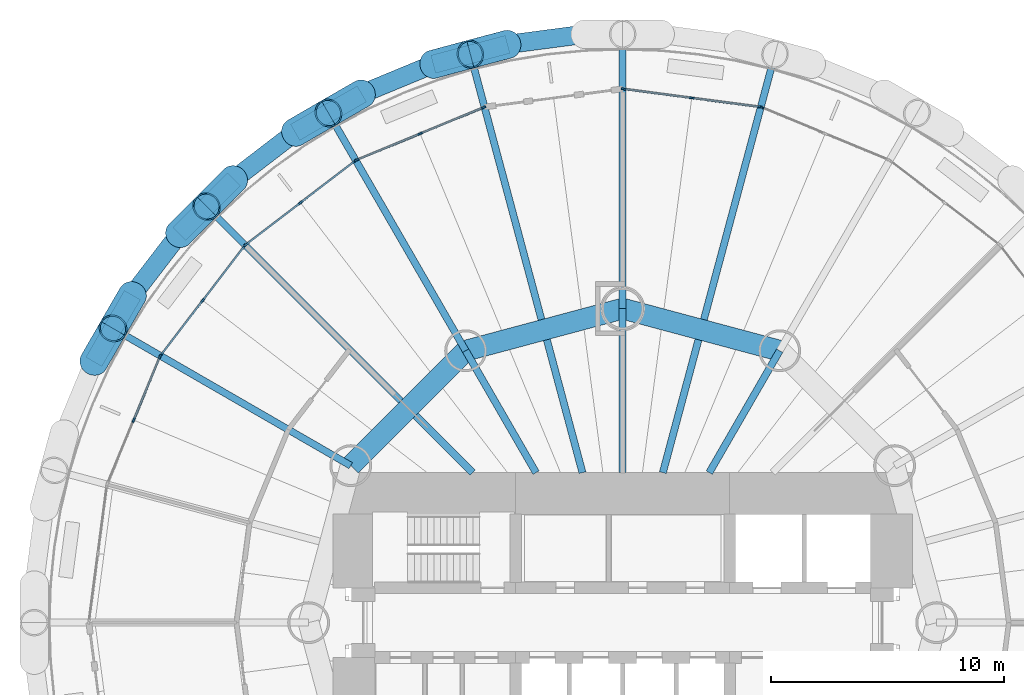
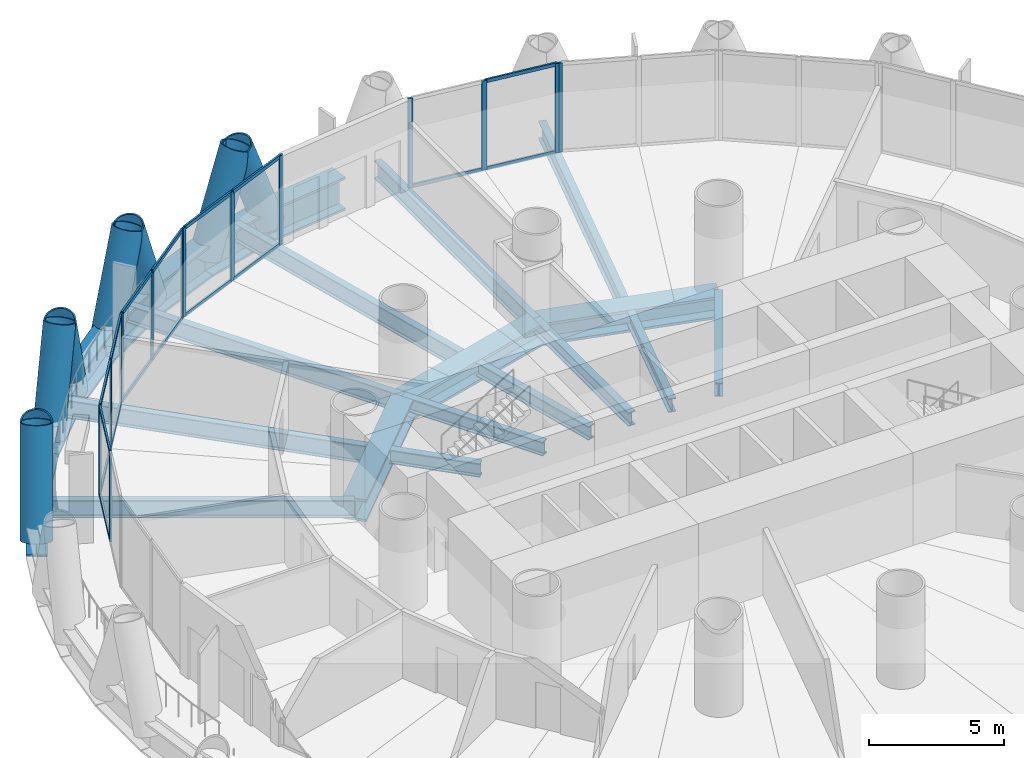
# One storey, part 6 of 16: 40 members, 23 beams, 6 elements without a shape of their own.
"""IFC4 building model written with IfcOpenShell, lengths in metres."""

import ifcopenshell
import ifcopenshell.guid

model = None  # the IFC model being written
_history = None  # IfcOwnerHistory: only IFC2X3 demands one
_inside = {}  # id of a spatial element -> (the spatial element, [elements in it])
_under = {}  # id of a project, library or spatial element -> (it, [spatial elements below it])
_declared = {}  # id of a project -> (the project, [libraries it declares])
_typed = {}  # id of a type object -> (the type object, [elements of that type])
_made_of = {}  # id of a material, layer set ... -> (it, [elements and type objects made of it])


def new_model(schema):
    """Start an empty IFC model of exactly this schema.

    Asked for "IFC4X3", IfcOpenShell would pick the latest addendum, in which some entities
    have other attributes; the version numbers below select the first issue.
    IFC2X3 requires an IfcOwnerHistory on every rooted entity: one is made here for all.
    """
    global model, _history
    if schema == "IFC4X3":
        model = ifcopenshell.file(schema_version=(4, 3, 0, 0))
    else:
        model = ifcopenshell.file(schema=schema)
    _inside.clear()
    _under.clear()
    _declared.clear()
    _typed.clear()
    _made_of.clear()
    _history = None
    if model.schema == "IFC2X3":
        org = make("IfcOrganization", Name="unknown")
        user = make(
            "IfcPersonAndOrganization",
            ThePerson=make("IfcPerson", FamilyName="unknown"),
            TheOrganization=org,
        )
        app = make(
            "IfcApplication",
            ApplicationDeveloper=org,
            Version="unknown",
            ApplicationFullName="unknown",
            ApplicationIdentifier="unknown",
        )
        _history = make(
            "IfcOwnerHistory",
            OwningUser=user,
            OwningApplication=app,
            ChangeAction="ADDED",
            CreationDate=0,
        )
    return model


def make(cls, **values):
    """One entity of the class cls with the attributes given. An attribute that is None is left unset."""
    return model.create_entity(
        cls, **{name: value for name, value in values.items() if value is not None}
    )


def rooted(cls, **values):
    """An entity with a GlobalId (a new one), such as an element, a storey or a relation."""
    return make(cls, GlobalId=ifcopenshell.guid.new(), OwnerHistory=_history, **values)


def si_unit(unit_type, name, prefix=None):
    """IfcSIUnit, for example si_unit("LENGTHUNIT", "METRE", prefix="MILLI")."""
    return make("IfcSIUnit", UnitType=unit_type, Prefix=prefix, Name=name)


def assignment(units):
    """IfcUnitAssignment: the units of a project."""
    return None if units is None else make("IfcUnitAssignment", Units=units)


def point(xyz):
    """IfcCartesianPoint."""
    return None if xyz is None else make("IfcCartesianPoint", Coordinates=xyz)


def direction(xyz):
    """IfcDirection."""
    return None if xyz is None else make("IfcDirection", DirectionRatios=xyz)


def frame(location, z_axis=None, x_axis=None):
    """IfcAxis2Placement3D, a coordinate frame: its origin and axes. An axis left out is left unset."""
    return make(
        "IfcAxis2Placement3D",
        Location=point(location),
        Axis=direction(z_axis),
        RefDirection=direction(x_axis),
    )


def frame_2d(location, x_axis=None):
    """IfcAxis2Placement2D, a coordinate frame in the plane: its origin and x axis."""
    return make(
        "IfcAxis2Placement2D", Location=point(location), RefDirection=direction(x_axis)
    )


def origin():
    """The frame at (0, 0, 0) with its axes left unset."""
    return frame((0.0, 0.0, 0.0))


def origin_2d():
    """The frame at (0, 0) in the plane with its x axis left unset."""
    return frame_2d((0.0, 0.0))


def place(relative_to, where):
    """IfcLocalPlacement: puts the frame where relative to a parent placement (None: the world)."""
    return make(
        "IfcLocalPlacement", PlacementRelTo=relative_to, RelativePlacement=where
    )


def context(
    kind, dimensions, precision=None, world=None, true_north=None, identifier=None
):
    """IfcGeometricRepresentationContext, for example the 3D "Model" context."""
    return make(
        "IfcGeometricRepresentationContext",
        ContextIdentifier=identifier,
        ContextType=kind,
        CoordinateSpaceDimension=dimensions,
        Precision=precision,
        WorldCoordinateSystem=world,
        TrueNorth=true_north,
    )


def subcontext(parent, identifier, kind, view, scale=None):
    """IfcGeometricRepresentationSubContext, for example "Body" below "Model"."""
    return make(
        "IfcGeometricRepresentationSubContext",
        ContextIdentifier=identifier,
        ContextType=kind,
        ParentContext=parent,
        TargetScale=scale,
        TargetView=view,
    )


def project(units=None, contexts=None):
    """IfcProject with its units and contexts."""
    return rooted(
        "IfcProject",
        Name="project",
        RepresentationContexts=contexts,
        UnitsInContext=assignment(units),
    )


def spatial(cls, under=None, at=None, **own):
    """A site, building, storey or space (cls), placed at a placement, below another one or the project."""
    s = rooted(cls, ObjectPlacement=at, **own)
    if under is not None:
        _under.setdefault(under.id(), (under, []))[1].append(s)
    return s


def profile(cls, at=None, kind="AREA", **sizes):
    """A parametric profile (cls). Its sizes go by their IFC names, for example OverallWidth=200.0."""
    return make(cls, ProfileType=kind, Position=at, **sizes)


def rectangle(**sizes):
    """IfcRectangleProfileDef."""
    return profile("IfcRectangleProfileDef", **sizes)


def hollow_circle(**sizes):
    """IfcCircleHollowProfileDef."""
    return profile("IfcCircleHollowProfileDef", **sizes)


def i_section(**sizes):
    """IfcIShapeProfileDef."""
    return profile("IfcIShapeProfileDef", **sizes)


def extrude(swept, where, along, depth):
    """IfcExtrudedAreaSolid: the profile swept, set in the frame where, extruded along a direction by depth."""
    return make(
        "IfcExtrudedAreaSolid",
        SweptArea=swept,
        Position=where,
        ExtrudedDirection=direction(along),
        Depth=depth,
    )


def shape(context_of_items, identifier, shape_type, items):
    """IfcShapeRepresentation: the items that make up one representation, for example the "Body"."""
    return make(
        "IfcShapeRepresentation",
        ContextOfItems=context_of_items,
        RepresentationIdentifier=identifier,
        RepresentationType=shape_type,
        Items=items,
    )


def material(Name=None, Category=None):
    """IfcMaterial."""
    return make("IfcMaterial", Name=Name, Category=Category)


def material_profile(
    of_material, cross_section, Name=None, Category=None, Priority=None
):
    """IfcMaterialProfile: a cross section and its material."""
    return make(
        "IfcMaterialProfile",
        Name=Name,
        Material=of_material,
        Profile=cross_section,
        Priority=Priority,
        Category=Category,
    )


def profile_set(profiles, Name=None, composite=None):
    """IfcMaterialProfileSet."""
    return make(
        "IfcMaterialProfileSet",
        Name=Name,
        MaterialProfiles=profiles,
        CompositeProfile=composite,
    )


def made_of(thing, what):
    """Note that an element or type object is made of a material, layer set ...; save() writes the relation."""
    if what is not None:
        _made_of.setdefault(what.id(), (what, []))[1].append(thing)
    return thing


def type_object(cls, material=None, **own):
    """A type object (cls), such as IfcWallType, which elements share."""
    return made_of(rooted(cls, **own), material)


def element(
    cls,
    number,
    at=None,
    inside=None,
    cuts=None,
    type_object=None,
    material=None,
    context=None,
    identifier="Body",
    shape_type=None,
    held_by="IfcProductDefinitionShape",
    body=None,
    shapes=None,
    **own,
):
    """One element of the class cls, such as IfcWall. Its Tag is "e" and its number.

    at: its placement. inside: the storey or other place that contains it. cuts: it is an
    opening in that element (IfcRelVoidsElement). A single representation is given by context,
    identifier, shape_type and body (its items); several are given by shapes. held_by: the class
    of the entity that holds the representations. save() writes the other relations.
    """
    e = rooted(cls, Tag="e%d" % number, ObjectPlacement=at, **own)
    if body is not None:
        shapes = [shape(context, identifier, shape_type, body)]
    if shapes is not None:
        e.Representation = make(held_by, Representations=shapes)
    if inside is not None:
        _inside.setdefault(inside.id(), (inside, []))[1].append(e)
    if cuts is not None:
        rooted(
            "IfcRelVoidsElement", RelatingBuildingElement=cuts, RelatedOpeningElement=e
        )
    if type_object is not None:
        _typed.setdefault(type_object.id(), (type_object, []))[1].append(e)
    return made_of(e, material)


def aggregate(whole, parts):
    """IfcRelAggregates: a whole, such as a stair, and the parts it consists of."""
    return rooted("IfcRelAggregates", RelatingObject=whole, RelatedObjects=parts)


def save(model, path):
    """Write the relations noted so far, then the file.

    IfcRelAggregates (storeys below a building ...), IfcRelContainedInSpatialStructure (elements
    in a storey), IfcRelDefinesByType, IfcRelAssociatesMaterial and IfcRelDeclares: one each for
    every whole, place, type object, material and project.
    """
    for whole, parts in _under.values():
        aggregate(whole, parts)
    for where, things in _inside.values():
        rooted(
            "IfcRelContainedInSpatialStructure",
            RelatedElements=things,
            RelatingStructure=where,
        )
    for kind, things in _typed.values():
        rooted("IfcRelDefinesByType", RelatedObjects=things, RelatingType=kind)
    for what, things in _made_of.values():
        rooted("IfcRelAssociatesMaterial", RelatedObjects=things, RelatingMaterial=what)
    for by, libraries in _declared.values():
        rooted("IfcRelDeclares", RelatingContext=by, RelatedDefinitions=libraries)
    model.write(path)


model = new_model("IFC4")

# Units and contexts
model_context = context("Model", 3, precision=1e-05, world=origin(), true_north=direction((0.0, 1.0)))
body_context = subcontext(model_context, "Body", "Model", "MODEL_VIEW")
ifc_project = project(units=[si_unit("LENGTHUNIT", "METRE"), si_unit("AREAUNIT", "SQUARE_METRE"), si_unit("VOLUMEUNIT", "CUBIC_METRE"), si_unit("PLANEANGLEUNIT", "RADIAN"), si_unit("MASSUNIT", "GRAM", prefix="KILO")], contexts=[model_context])

# Site, building, storey
site_placement = place(None, origin())
site = spatial("IfcSite", under=ifc_project, at=site_placement, CompositionType="ELEMENT")
building_placement = place(site_placement, origin())
building = spatial("IfcBuilding", under=site, at=building_placement, Name="Qaws Media Tower", CompositionType="ELEMENT")
storey_placement = place(building_placement, frame((0.0, 0.0, 105.800048828125)))
storey = spatial("IfcBuildingStorey", under=building, at=storey_placement, Name="L23", CompositionType="ELEMENT", Elevation=105.800048828125)

# Curtain wall, member
ifc_material_1 = material(Name="Aluminium and clear glass", Category="aluminium")
curtain_wall_type = type_object("IfcCurtainWallType", Name="Unitised curtain wall CW-B", PredefinedType="NOTDEFINED", material=ifc_material_1)
curtain_wall_1_placement = place(storey_placement, origin())
curtain_wall_1 = element("IfcCurtainWall", 1, at=curtain_wall_1_placement, inside=storey, type_object=curtain_wall_type, Name="CWB curtain wall L23-05", PredefinedType="NOTDEFINED")
ifc_material_2 = material(Name="Aluminium mullion", Category="aluminium")
ifc_material_profile_1 = material_profile(ifc_material_2, rectangle(XDim=0.080078125, YDim=0.199951171875, at=origin_2d()), Name="80x200")
ifc_profile_set_1 = profile_set([ifc_material_profile_1], Name="Aluminium mullion")
member_type_1 = type_object("IfcMemberType", Name="Curtain wall mullion 80x200", PredefinedType="MULLION", material=ifc_profile_set_1)
member_1_placement = place(storey_placement, frame((65.976806640625, 72.152587890625, 0.0), z_axis=(0.0, 0.0, 1.0), x_axis=(-0.382683470581, -0.923879516682, 0.0)))
member_1 = element("IfcMember", 2, at=member_1_placement, type_object=member_type_1, Name="CWB mullion 3", PredefinedType="MULLION", context=body_context, shape_type="SweptSolid", body=[
    extrude(rectangle(XDim=0.080078125, YDim=0.199951171875, at=origin_2d()), origin(), (0.0, 0.0, 1.0), 4.0400390625),
])
aggregate(curtain_wall_1, [member_1])

# Curtain wall, members
curtain_wall_2_placement = place(storey_placement, origin())
curtain_wall_2 = element("IfcCurtainWall", 3, at=curtain_wall_2_placement, inside=storey, type_object=curtain_wall_type, Name="CWB curtain wall L23-06", PredefinedType="NOTDEFINED")
member_2_placement = place(storey_placement, frame((65.900146484375, 72.17333984375, 0.0), z_axis=(0.0, 0.0, 1.0), x_axis=(-0.130526147022, -0.991444867324, 0.0)))
member_2 = element("IfcMember", 4, at=member_2_placement, type_object=member_type_1, Name="CWB mullion 1", PredefinedType="MULLION", context=body_context, shape_type="SweptSolid", body=[
    extrude(rectangle(XDim=0.080078125, YDim=0.199951171875, at=origin_2d()), origin(), (0.0, 0.0, 1.0), 4.0400390625),
])
member_3_placement = place(storey_placement, frame((62.969970703125, 72.55908203125, 0.0), z_axis=(0.0, 0.0, 1.0), x_axis=(-0.130526147022, -0.991444867324, 0.0)))
member_3 = element("IfcMember", 5, at=member_3_placement, type_object=member_type_1, Name="CWB mullion 2", PredefinedType="MULLION", context=body_context, shape_type="SweptSolid", body=[
    extrude(rectangle(XDim=0.080078125, YDim=0.199951171875, at=origin_2d()), origin(), (0.0, 0.0, 1.0), 4.0400390625),
])
member_4_placement = place(storey_placement, frame((60.03955078125, 72.94482421875, 0.0), z_axis=(0.0, 0.0, 1.0), x_axis=(-0.130526147022, -0.991444867324, 0.0)))
member_4 = element("IfcMember", 6, at=member_4_placement, type_object=member_type_1, Name="CWB mullion 3", PredefinedType="MULLION", context=body_context, shape_type="SweptSolid", body=[
    extrude(rectangle(XDim=0.080078125, YDim=0.199951171875, at=origin_2d()), origin(), (0.0, 0.0, 1.0), 4.0400390625),
])

curtain_wall_3_placement = place(storey_placement, origin())
curtain_wall_3 = element("IfcCurtainWall", 7, at=curtain_wall_3_placement, inside=storey, type_object=curtain_wall_type, Name="CWB curtain wall L23-08", PredefinedType="NOTDEFINED")
member_5_placement = place(storey_placement, frame((54.023193359375, 72.152587890625, 0.0), z_axis=(0.0, 0.0, 1.0), x_axis=(0.382683470581, -0.923879516682, 0.0)))
member_5 = element("IfcMember", 8, at=member_5_placement, type_object=member_type_1, Name="CWB mullion 1", PredefinedType="MULLION", context=body_context, shape_type="SweptSolid", body=[
    extrude(rectangle(XDim=0.080078125, YDim=0.199951171875, at=origin_2d()), origin(), (0.0, 0.0, 1.0), 4.0400390625),
])
member_6_placement = place(storey_placement, frame((51.29248046875, 71.021728515625, 0.0), z_axis=(0.0, 0.0, 1.0), x_axis=(0.382683470581, -0.923879516682, 0.0)))
member_6 = element("IfcMember", 9, at=member_6_placement, type_object=member_type_1, Name="CWB mullion 2", PredefinedType="MULLION", context=body_context, shape_type="SweptSolid", body=[
    extrude(rectangle(XDim=0.080078125, YDim=0.199951171875, at=origin_2d()), origin(), (0.0, 0.0, 1.0), 4.0400390625),
])
member_7_placement = place(storey_placement, frame((48.56201171875, 69.890625, 0.0), z_axis=(0.0, 0.0, 1.0), x_axis=(0.382683470581, -0.923879516682, 0.0)))
member_7 = element("IfcMember", 10, at=member_7_placement, type_object=member_type_1, Name="CWB mullion 3", PredefinedType="MULLION", context=body_context, shape_type="SweptSolid", body=[
    extrude(rectangle(XDim=0.080078125, YDim=0.199951171875, at=origin_2d()), origin(), (0.0, 0.0, 1.0), 4.0400390625),
])

curtain_wall_4_placement = place(storey_placement, origin())
curtain_wall_4 = element("IfcCurtainWall", 11, at=curtain_wall_4_placement, inside=storey, type_object=curtain_wall_type, Name="CWB curtain wall L23-09", PredefinedType="NOTDEFINED")
member_8_placement = place(storey_placement, frame((48.4931640625, 69.850830078125, 0.0), z_axis=(0.0, 0.0, 1.0), x_axis=(0.608761358211, -0.793353394616, 0.0)))
member_8 = element("IfcMember", 12, at=member_8_placement, type_object=member_type_1, Name="CWB mullion 1", PredefinedType="MULLION", context=body_context, shape_type="SweptSolid", body=[
    extrude(rectangle(XDim=0.080078125, YDim=0.199951171875, at=origin_2d()), origin(), (0.0, 0.0, 1.0), 4.0400390625),
])
member_9_placement = place(storey_placement, frame((46.1484375, 68.0517578125, 0.0), z_axis=(0.0, 0.0, 1.0), x_axis=(0.608761358211, -0.793353394616, 0.0)))
member_9 = element("IfcMember", 13, at=member_9_placement, type_object=member_type_1, Name="CWB mullion 2", PredefinedType="MULLION", context=body_context, shape_type="SweptSolid", body=[
    extrude(rectangle(XDim=0.080078125, YDim=0.199951171875, at=origin_2d()), origin(), (0.0, 0.0, 1.0), 4.0400390625),
])
member_10_placement = place(storey_placement, frame((43.8037109375, 66.25244140625, 0.0), z_axis=(0.0, 0.0, 1.0), x_axis=(0.608761358211, -0.793353394616, 0.0)))
member_10 = element("IfcMember", 14, at=member_10_placement, type_object=member_type_1, Name="CWB mullion 3", PredefinedType="MULLION", context=body_context, shape_type="SweptSolid", body=[
    extrude(rectangle(XDim=0.080078125, YDim=0.199951171875, at=origin_2d()), origin(), (0.0, 0.0, 1.0), 4.0400390625),
])

curtain_wall_5_placement = place(storey_placement, origin())
curtain_wall_5 = element("IfcCurtainWall", 15, at=curtain_wall_5_placement, inside=storey, type_object=curtain_wall_type, Name="CWB curtain wall L23-10", PredefinedType="NOTDEFINED")
member_11_placement = place(storey_placement, frame((43.74755859375, 66.1962890625, 0.0), z_axis=(0.0, 0.0, 1.0), x_axis=(0.793353394616, -0.608761358211, 0.0)))
member_11 = element("IfcMember", 16, at=member_11_placement, type_object=member_type_1, Name="CWB mullion 1", PredefinedType="MULLION", context=body_context, shape_type="SweptSolid", body=[
    extrude(rectangle(XDim=0.080078125, YDim=0.199951171875, at=origin_2d()), origin(), (0.0, 0.0, 1.0), 4.0400390625),
])
member_12_placement = place(storey_placement, frame((41.9482421875, 63.8515625, 0.0), z_axis=(0.0, 0.0, 1.0), x_axis=(0.793353394616, -0.608761358211, 0.0)))
member_12 = element("IfcMember", 17, at=member_12_placement, type_object=member_type_1, Name="CWB mullion 2", PredefinedType="MULLION", context=body_context, shape_type="SweptSolid", body=[
    extrude(rectangle(XDim=0.080078125, YDim=0.199951171875, at=origin_2d()), origin(), (0.0, 0.0, 1.0), 4.0400390625),
])
member_13_placement = place(storey_placement, frame((40.149169921875, 61.5068359375, 0.0), z_axis=(0.0, 0.0, 1.0), x_axis=(0.793353394616, -0.608761358211, 0.0)))
member_13 = element("IfcMember", 18, at=member_13_placement, type_object=member_type_1, Name="CWB mullion 3", PredefinedType="MULLION", context=body_context, shape_type="SweptSolid", body=[
    extrude(rectangle(XDim=0.080078125, YDim=0.199951171875, at=origin_2d()), origin(), (0.0, 0.0, 1.0), 4.0400390625),
])

curtain_wall_6_placement = place(storey_placement, origin())
curtain_wall_6 = element("IfcCurtainWall", 19, at=curtain_wall_6_placement, inside=storey, type_object=curtain_wall_type, Name="CWB curtain wall L23-11", PredefinedType="NOTDEFINED")
member_14_placement = place(storey_placement, frame((40.109375, 61.43798828125, 0.0), z_axis=(0.0, 0.0, 1.0), x_axis=(0.923879516682, -0.382683470581, 0.0)))
member_14 = element("IfcMember", 20, at=member_14_placement, type_object=member_type_1, Name="CWB mullion 1", PredefinedType="MULLION", context=body_context, shape_type="SweptSolid", body=[
    extrude(rectangle(XDim=0.080078125, YDim=0.199951171875, at=origin_2d()), origin(), (0.0, 0.0, 1.0), 4.0400390625),
])
member_15_placement = place(storey_placement, frame((38.978271484375, 58.70751953125, 0.0), z_axis=(0.0, 0.0, 1.0), x_axis=(0.923879516682, -0.382683470581, 0.0)))
member_15 = element("IfcMember", 21, at=member_15_placement, type_object=member_type_1, Name="CWB mullion 2", PredefinedType="MULLION", context=body_context, shape_type="SweptSolid", body=[
    extrude(rectangle(XDim=0.080078125, YDim=0.199951171875, at=origin_2d()), origin(), (0.0, 0.0, 1.0), 4.0400390625),
])

# Member
ifc_material_3 = material(Name="Aluminium transom", Category="aluminium")
ifc_material_profile_2 = material_profile(ifc_material_3, rectangle(XDim=0.080078125, YDim=0.159912109375, at=origin_2d()), Name="80x160")
ifc_profile_set_2 = profile_set([ifc_material_profile_2], Name="Aluminium transom")
member_type_2 = type_object("IfcMemberType", Name="Curtain wall transom 80x160", PredefinedType="USERDEFINED", material=ifc_profile_set_2)
member_16_placement = place(storey_placement, frame((65.860595703125, 72.178466796875, 0.0400390625), z_axis=(-0.991449671425, 0.130489651052, 0.0), x_axis=(-0.130489651052, -0.991449671425, 0.0)))
member_16 = element("IfcMember", 22, at=member_16_placement, type_object=member_type_2, Name="CWB transom 1.1", ObjectType="TRANSOM", PredefinedType="USERDEFINED", context=body_context, shape_type="SweptSolid", body=[
    extrude(rectangle(XDim=0.080078125, YDim=0.159912109375, at=origin_2d()), origin(), (0.0, 0.0, 1.0), 2.875732421875),
])

member_17_placement = place(storey_placement, frame((65.860595703125, 72.178466796875, 4.0), z_axis=(-0.991449671425, 0.130489651052, 0.0), x_axis=(-0.130489651052, -0.991449671425, 0.0)))
member_17 = element("IfcMember", 23, at=member_17_placement, type_object=member_type_2, Name="CWB transom 1.2", ObjectType="TRANSOM", PredefinedType="USERDEFINED", context=body_context, shape_type="SweptSolid", body=[
    extrude(rectangle(XDim=0.080078125, YDim=0.159912109375, at=origin_2d()), origin(), (0.0, 0.0, 1.0), 2.875732421875),
])

member_18_placement = place(storey_placement, frame((62.93017578125, 72.564208984375, 0.0400390625), z_axis=(-0.991448225622, 0.130500635675, 0.0), x_axis=(-0.130500635675, -0.991448225622, 0.0)))
member_18 = element("IfcMember", 24, at=member_18_placement, type_object=member_type_2, Name="CWB transom 2.1", ObjectType="TRANSOM", PredefinedType="USERDEFINED", context=body_context, shape_type="SweptSolid", body=[
    extrude(rectangle(XDim=0.080078125, YDim=0.159912109375, at=origin_2d()), origin(), (0.0, 0.0, 1.0), 2.87548828125),
])

aggregate(curtain_wall_2, [member_2, member_3, member_4, member_16, member_17, member_18])

member_19_placement = place(storey_placement, frame((53.986083984375, 72.137451171875, 0.0400390625), z_axis=(-0.92385124577, -0.382751715461, 0.0), x_axis=(0.382751715461, -0.92385124577, 0.0)))
member_19 = element("IfcMember", 25, at=member_19_placement, type_object=member_type_2, Name="CWB transom 1.1", ObjectType="TRANSOM", PredefinedType="USERDEFINED", context=body_context, shape_type="SweptSolid", body=[
    extrude(rectangle(XDim=0.080078125, YDim=0.159912109375, at=origin_2d()), origin(), (0.0, 0.0, 1.0), 2.87548828125),
])

member_20_placement = place(storey_placement, frame((53.986083984375, 72.137451171875, 4.0), z_axis=(-0.92385124577, -0.382751715461, 0.0), x_axis=(0.382751715461, -0.92385124577, 0.0)))
member_20 = element("IfcMember", 26, at=member_20_placement, type_object=member_type_2, Name="CWB transom 1.2", ObjectType="TRANSOM", PredefinedType="USERDEFINED", context=body_context, shape_type="SweptSolid", body=[
    extrude(rectangle(XDim=0.080078125, YDim=0.159912109375, at=origin_2d()), origin(), (0.0, 0.0, 1.0), 2.87548828125),
])

member_21_placement = place(storey_placement, frame((51.255615234375, 71.00634765625, 0.0400390625), z_axis=(-0.923893699507, -0.382649228421, 0.0), x_axis=(0.382649228421, -0.923893699507, 0.0)))
member_21 = element("IfcMember", 27, at=member_21_placement, type_object=member_type_2, Name="CWB transom 2.1", ObjectType="TRANSOM", PredefinedType="USERDEFINED", context=body_context, shape_type="SweptSolid", body=[
    extrude(rectangle(XDim=0.080078125, YDim=0.159912109375, at=origin_2d()), origin(), (0.0, 0.0, 1.0), 2.87548828125),
])

member_22_placement = place(storey_placement, frame((51.255615234375, 71.00634765625, 4.0), z_axis=(-0.923893699507, -0.382649228421, 0.0), x_axis=(0.382649228421, -0.923893699507, 0.0)))
member_22 = element("IfcMember", 28, at=member_22_placement, type_object=member_type_2, Name="CWB transom 2.2", ObjectType="TRANSOM", PredefinedType="USERDEFINED", context=body_context, shape_type="SweptSolid", body=[
    extrude(rectangle(XDim=0.080078125, YDim=0.159912109375, at=origin_2d()), origin(), (0.0, 0.0, 1.0), 2.87548828125),
])

aggregate(curtain_wall_3, [member_5, member_6, member_7, member_19, member_20, member_21, member_22])

member_23_placement = place(storey_placement, frame((48.46142578125, 69.82666015625, 0.0400390625), z_axis=(-0.793308372478, -0.608820027723, 0.0), x_axis=(0.608820027723, -0.793308372478, 0.0)))
member_23 = element("IfcMember", 29, at=member_23_placement, type_object=member_type_2, Name="CWB transom 1.1", ObjectType="TRANSOM", PredefinedType="USERDEFINED", context=body_context, shape_type="SweptSolid", body=[
    extrude(rectangle(XDim=0.080078125, YDim=0.159912109375, at=origin_2d()), origin(), (0.0, 0.0, 1.0), 2.875732421875),
])

member_24_placement = place(storey_placement, frame((48.46142578125, 69.82666015625, 4.0), z_axis=(-0.793308372478, -0.608820027723, 0.0), x_axis=(0.608820027723, -0.793308372478, 0.0)))
member_24 = element("IfcMember", 30, at=member_24_placement, type_object=member_type_2, Name="CWB transom 1.2", ObjectType="TRANSOM", PredefinedType="USERDEFINED", context=body_context, shape_type="SweptSolid", body=[
    extrude(rectangle(XDim=0.080078125, YDim=0.159912109375, at=origin_2d()), origin(), (0.0, 0.0, 1.0), 2.875732421875),
])

member_25_placement = place(storey_placement, frame((46.11669921875, 68.02734375, 0.0400390625), z_axis=(-0.793349378115, -0.608766592582, 0.0), x_axis=(0.608766592582, -0.793349378115, 0.0)))
member_25 = element("IfcMember", 31, at=member_25_placement, type_object=member_type_2, Name="CWB transom 2.1", ObjectType="TRANSOM", PredefinedType="USERDEFINED", context=body_context, shape_type="SweptSolid", body=[
    extrude(rectangle(XDim=0.080078125, YDim=0.159912109375, at=origin_2d()), origin(), (0.0, 0.0, 1.0), 2.87548828125),
])

member_26_placement = place(storey_placement, frame((46.11669921875, 68.02734375, 4.0), z_axis=(-0.793349378115, -0.608766592582, 0.0), x_axis=(0.608766592582, -0.793349378115, 0.0)))
member_26 = element("IfcMember", 32, at=member_26_placement, type_object=member_type_2, Name="CWB transom 2.2", ObjectType="TRANSOM", PredefinedType="USERDEFINED", context=body_context, shape_type="SweptSolid", body=[
    extrude(rectangle(XDim=0.080078125, YDim=0.159912109375, at=origin_2d()), origin(), (0.0, 0.0, 1.0), 2.87548828125),
])

aggregate(curtain_wall_4, [member_8, member_9, member_10, member_23, member_24, member_25, member_26])

member_27_placement = place(storey_placement, frame((43.72314453125, 66.16455078125, 0.0400390625), z_axis=(-0.608766592582, -0.793349378115, 0.0), x_axis=(0.793349378115, -0.608766592582, 0.0)))
member_27 = element("IfcMember", 33, at=member_27_placement, type_object=member_type_2, Name="CWB transom 1.1", ObjectType="TRANSOM", PredefinedType="USERDEFINED", context=body_context, shape_type="SweptSolid", body=[
    extrude(rectangle(XDim=0.080078125, YDim=0.159912109375, at=origin_2d()), origin(), (0.0, 0.0, 1.0), 2.87548828125),
])

member_28_placement = place(storey_placement, frame((43.72314453125, 66.16455078125, 4.0), z_axis=(-0.608766592582, -0.793349378115, 0.0), x_axis=(0.793349378115, -0.608766592582, 0.0)))
member_28 = element("IfcMember", 34, at=member_28_placement, type_object=member_type_2, Name="CWB transom 1.2", ObjectType="TRANSOM", PredefinedType="USERDEFINED", context=body_context, shape_type="SweptSolid", body=[
    extrude(rectangle(XDim=0.080078125, YDim=0.159912109375, at=origin_2d()), origin(), (0.0, 0.0, 1.0), 2.87548828125),
])

member_29_placement = place(storey_placement, frame((41.924072265625, 63.81982421875, 0.0400390625), z_axis=(-0.608820027723, -0.793308372478, 0.0), x_axis=(0.793308372478, -0.608820027723, 0.0)))
member_29 = element("IfcMember", 35, at=member_29_placement, type_object=member_type_2, Name="CWB transom 2.1", ObjectType="TRANSOM", PredefinedType="USERDEFINED", context=body_context, shape_type="SweptSolid", body=[
    extrude(rectangle(XDim=0.080078125, YDim=0.159912109375, at=origin_2d()), origin(), (0.0, 0.0, 1.0), 2.875732421875),
])

member_30_placement = place(storey_placement, frame((41.924072265625, 63.81982421875, 4.0), z_axis=(-0.608820027723, -0.793308372478, 0.0), x_axis=(0.793308372478, -0.608820027723, 0.0)))
member_30 = element("IfcMember", 36, at=member_30_placement, type_object=member_type_2, Name="CWB transom 2.2", ObjectType="TRANSOM", PredefinedType="USERDEFINED", context=body_context, shape_type="SweptSolid", body=[
    extrude(rectangle(XDim=0.080078125, YDim=0.159912109375, at=origin_2d()), origin(), (0.0, 0.0, 1.0), 2.875732421875),
])

aggregate(curtain_wall_5, [member_11, member_12, member_13, member_27, member_28, member_29, member_30])

member_31_placement = place(storey_placement, frame((40.093994140625, 61.401123046875, 0.0400390625), z_axis=(-0.382649228421, -0.923893699507, 0.0), x_axis=(0.923893699507, -0.382649228421, 0.0)))
member_31 = element("IfcMember", 37, at=member_31_placement, type_object=member_type_2, Name="CWB transom 1.1", ObjectType="TRANSOM", PredefinedType="USERDEFINED", context=body_context, shape_type="SweptSolid", body=[
    extrude(rectangle(XDim=0.080078125, YDim=0.159912109375, at=origin_2d()), origin(), (0.0, 0.0, 1.0), 2.87548828125),
])

member_32_placement = place(storey_placement, frame((40.093994140625, 61.401123046875, 4.0), z_axis=(-0.382649228421, -0.923893699507, 0.0), x_axis=(0.923893699507, -0.382649228421, 0.0)))
member_32 = element("IfcMember", 38, at=member_32_placement, type_object=member_type_2, Name="CWB transom 1.2", ObjectType="TRANSOM", PredefinedType="USERDEFINED", context=body_context, shape_type="SweptSolid", body=[
    extrude(rectangle(XDim=0.080078125, YDim=0.159912109375, at=origin_2d()), origin(), (0.0, 0.0, 1.0), 2.87548828125),
])

aggregate(curtain_wall_6, [member_14, member_15, member_31, member_32])

# Members
ifc_material_4 = material(Name="Steel S460", Category="steel")
ifc_material_profile_3 = material_profile(ifc_material_4, hollow_circle(Radius=0.609619140625, WallThickness=0.06005859375, at=origin_2d()), Name="CHS 1219x60")
ifc_profile_set_3 = profile_set([ifc_material_profile_3], Name="Steel S460")
member_type_3 = type_object("IfcMemberType", Name="Diagrid member CHS 1219x60", PredefinedType="USERDEFINED", material=ifc_profile_set_3)
for number, where, z_axis, x_axis, name in (
    (39, (55.054443359375, 74.86279296875, -0.91015625), (-0.354893095406, -0.094075866241, 0.93016161081), (0.256232540278, -0.966615169187, 0.0), "DG1 diagrid L23 A07"),
    (40, (48.7880859375, 72.73583984375, -0.91015625), (-0.318447761957, -0.18279658458, 0.930148607251), (0.49783470429, -0.867271933827, 0.0), "DG1 diagrid L23 A08"),
    (41, (51.8515625, 74.004638671875, -0.91015625), (0.354403929954, 0.095967502009, 0.930154875809), (-0.261372603831, 0.965237982037, 0.0), "DG1 diagrid L23 B08"),
    (42, (43.28564453125, 69.05908203125, -0.91015625), (-0.260328708359, -0.2589229874, 0.930154745298), (0.705189913789, -0.709018466255, 0.0), "DG1 diagrid L23 A09"),
    (43, (45.916259765625, 71.07763671875, -0.91015625), (0.317526884372, 0.184417538326, 0.930143456279), (-0.502231420014, 0.864733254102, 0.0), "DG1 diagrid L23 B09"),
    (44, (38.92236328125, 64.083740234375, -0.91015625), (-0.184417538326, -0.317526884372, 0.930143456279), (0.864733254102, -0.502231420014, 0.0), "DG1 diagrid L23 A10"),
    (45, (40.94091796875, 66.71435546875, -0.91015625), (0.2589229874, 0.260328708359, 0.930154745298), (-0.709018466255, 0.705189913789, 0.0), "DG1 diagrid L23 B10"),
    (46, (37.26416015625, 61.2119140625, -0.91015625), (0.18279658458, 0.318447761957, 0.930148607251), (-0.867271933827, 0.49783470429, 0.0), "DG1 diagrid L23 B11"),
):
    element("IfcMember", number, at=place(storey_placement, frame(where, z_axis=z_axis, x_axis=x_axis)), inside=storey, type_object=member_type_3, Name=name, ObjectType="DIAGRID", PredefinedType="USERDEFINED", context=body_context, shape_type="SweptSolid", body=[
        extrude(hollow_circle(Radius=0.609619140625, WallThickness=0.06005859375, at=origin_2d()), origin(), (0.0, 0.0, 1.0), 4.515625),
    ])

# Beams
ifc_material_5 = material(Name="Steel S460", Category="steel")
ifc_material_profile_4 = material_profile(ifc_material_5, i_section(OverallWidth=0.800048828125, OverallDepth=1.5, WebThickness=0.0400390625, FlangeThickness=0.10009765625, at=origin_2d()), Name="PG 1500x800")
ifc_profile_set_4 = profile_set([ifc_material_profile_4], Name="Steel S460")
beam_type_1 = type_object("IfcBeamType", Name="Edge ring beam PG 1500x800", PredefinedType="BEAM", material=ifc_profile_set_4)
for number, where, z_axis, x_axis, name in (
    (47, (58.342041015625, 75.295654296875, -0.91015625), (-0.991443265692, -0.130538312051, 0.0), (0.130538312051, -0.991443265692, 0.0), "RB7 edge ring beam L23-13"),
    (48, (55.054443359375, 74.86279296875, -0.91015625), (-0.965929976143, -0.258803557142, 0.0), (0.258803557142, -0.965929976143, 0.0), "RB7 edge ring beam L23-14"),
    (49, (51.8515625, 74.004638671875, -0.91015625), (-0.923893895651, -0.382648754837, 0.0), (0.382648754837, -0.923893895651, 0.0), "RB7 edge ring beam L23-15"),
):
    element("IfcBeam", number, at=place(storey_placement, frame(where, z_axis=z_axis, x_axis=x_axis)), inside=storey, type_object=beam_type_1, Name=name, PredefinedType="BEAM", context=body_context, shape_type="SweptSolid", body=[
        extrude(i_section(OverallWidth=0.800048828125, OverallDepth=1.5, WebThickness=0.0400390625, FlangeThickness=0.10009765625, at=origin_2d()), origin(), (0.0, 0.0, 1.0), 3.31591796875),
    ])
beam_1_placement = place(storey_placement, frame((48.7880859375, 72.73583984375, -0.91015625), z_axis=(-0.866005358171, -0.500034718414, 0.0), x_axis=(0.500034718414, -0.866005358171, 0.0)))
element("IfcBeam", 50, at=beam_1_placement, inside=storey, type_object=beam_type_1, Name="RB7 edge ring beam L23-16", PredefinedType="BEAM", context=body_context, shape_type="SweptSolid", body=[
    extrude(i_section(OverallWidth=0.800048828125, OverallDepth=1.5, WebThickness=0.0400390625, FlangeThickness=0.10009765625, at=origin_2d()), origin(), (0.0, 0.0, 1.0), 3.316162109375),
])
for number, where, z_axis, x_axis, name in (
    (51, (45.916259765625, 71.07763671875, -0.91015625), (-0.793351501673, -0.608763825135, 0.0), (0.608763825135, -0.793351501673, 0.0), "RB7 edge ring beam L23-17"),
    (52, (43.28564453125, 69.05908203125, -0.91015625), (-0.707106781187, -0.707106781187, 0.0), (0.707106781187, -0.707106781187, 0.0), "RB7 edge ring beam L23-18"),
    (53, (40.94091796875, 66.71435546875, -0.91015625), (-0.608763825135, -0.793351501673, 0.0), (0.793351501673, -0.608763825135, 0.0), "RB7 edge ring beam L23-19"),
):
    element("IfcBeam", number, at=place(storey_placement, frame(where, z_axis=z_axis, x_axis=x_axis)), inside=storey, type_object=beam_type_1, Name=name, PredefinedType="BEAM", context=body_context, shape_type="SweptSolid", body=[
        extrude(i_section(OverallWidth=0.800048828125, OverallDepth=1.5, WebThickness=0.0400390625, FlangeThickness=0.10009765625, at=origin_2d()), origin(), (0.0, 0.0, 1.0), 3.31591796875),
    ])
beam_2_placement = place(storey_placement, frame((38.92236328125, 64.083740234375, -0.91015625), z_axis=(-0.500034718414, -0.866005358171, 0.0), x_axis=(0.866005358171, -0.500034718414, 0.0)))
element("IfcBeam", 54, at=beam_2_placement, inside=storey, type_object=beam_type_1, Name="RB7 edge ring beam L23-20", PredefinedType="BEAM", context=body_context, shape_type="SweptSolid", body=[
    extrude(i_section(OverallWidth=0.800048828125, OverallDepth=1.5, WebThickness=0.0400390625, FlangeThickness=0.10009765625, at=origin_2d()), origin(), (0.0, 0.0, 1.0), 3.316162109375),
])
ifc_material_6 = material(Name="Steel S460", Category="steel")
ifc_material_profile_5 = material_profile(ifc_material_6, i_section(OverallWidth=0.89990234375, OverallDepth=1.0, WebThickness=0.044921875, FlangeThickness=0.110107421875, at=origin_2d()), Name="PG 1000x900")
ifc_profile_set_5 = profile_set([ifc_material_profile_5], Name="Steel S460")
beam_type_2 = type_object("IfcBeamType", Name="Inner ring girder PG 1000x900", PredefinedType="BEAM", material=ifc_profile_set_5)
for number, where, z_axis, x_axis, name in (
    (55, (66.75, 61.69140625, -0.66015625), (-0.965928090778, 0.258810593767, 0.0), (-0.258810593767, -0.965928090778, 0.0), "B3 inner ring beam L23 I03-I04"),
    (56, (60.0, 63.5, -0.66015625), (-0.965928090778, -0.258810593767, 0.0), (0.258810593767, -0.965928090778, 0.0), "B3 inner ring beam L23 I04-I05"),
):
    element("IfcBeam", number, at=place(storey_placement, frame(where, z_axis=z_axis, x_axis=x_axis)), inside=storey, type_object=beam_type_2, Name=name, PredefinedType="BEAM", context=body_context, shape_type="SweptSolid", body=[
        extrude(i_section(OverallWidth=0.89990234375, OverallDepth=1.0, WebThickness=0.044921875, FlangeThickness=0.110107421875, at=origin_2d()), origin(), (0.0, 0.0, 1.0), 6.988037109375),
    ])
beam_3_placement = place(storey_placement, frame((53.25, 61.69140625, -0.66015625), z_axis=(-0.707106781187, -0.707106781187, 0.0), x_axis=(0.707106781187, -0.707106781187, 0.0)))
element("IfcBeam", 57, at=beam_3_placement, inside=storey, type_object=beam_type_2, Name="B3 inner ring beam L23 I05-I06", PredefinedType="BEAM", context=body_context, shape_type="SweptSolid", body=[
    extrude(i_section(OverallWidth=0.89990234375, OverallDepth=1.0, WebThickness=0.044921875, FlangeThickness=0.110107421875, at=origin_2d()), origin(), (0.0, 0.0, 1.0), 6.98828125),
])
ifc_material_7 = material(Name="Steel S355", Category="steel")
ifc_material_profile_6 = material_profile(ifc_material_7, i_section(OverallWidth=0.304931640625, OverallDepth=0.6201171875, WebThickness=0.02099609375, FlangeThickness=0.0400390625, FilletRadius=0.027099609375, at=origin_2d()), Name="HE 600 M")
ifc_profile_set_6 = profile_set([ifc_material_profile_6], Name="Steel S355")
beam_type_3 = type_object("IfcBeamType", Name="Radial beam HE 600 M, core side", PredefinedType="BEAM", material=ifc_profile_set_6)
beam_4_placement = place(storey_placement, frame((63.723876953125, 56.449951171875, -0.469970703125), z_axis=(0.499995978368, 0.866027725662, 0.0), x_axis=(-0.866027725662, 0.499995978368, 0.0)))
element("IfcBeam", 58, at=beam_4_placement, inside=storey, type_object=beam_type_3, Name="B2 radial beam L23 05", PredefinedType="BEAM", context=body_context, shape_type="SweptSolid", body=[
    extrude(i_section(OverallWidth=0.304931640625, OverallDepth=0.6201171875, WebThickness=0.02099609375, FlangeThickness=0.0400390625, FilletRadius=0.027099609375, at=origin_2d()), origin(), (0.0, 0.0, 1.0), 6.05224609375),
])
beam_5_placement = place(storey_placement, frame((61.728271484375, 56.449951171875, -0.469970703125), z_axis=(0.258824149545, 0.965924458543, 0.0), x_axis=(-0.965924458543, 0.258824149545, 0.0)))
element("IfcBeam", 59, at=beam_5_placement, inside=storey, type_object=beam_type_3, Name="B2 radial beam L23 06", PredefinedType="BEAM", context=body_context, shape_type="SweptSolid", body=[
    extrude(i_section(OverallWidth=0.304931640625, OverallDepth=0.6201171875, WebThickness=0.02099609375, FlangeThickness=0.0400390625, FilletRadius=0.027099609375, at=origin_2d()), origin(), (0.0, 0.0, 1.0), 5.912353515625),
])
beam_6_placement = place(storey_placement, frame((60.0, 56.449951171875, -0.469970703125), z_axis=(0.0, 1.0, 0.0), x_axis=(-1.0, 0.0, 0.0)))
element("IfcBeam", 60, at=beam_6_placement, inside=storey, type_object=beam_type_3, Name="B2 radial beam L23 07", PredefinedType="BEAM", context=body_context, shape_type="SweptSolid", body=[
    extrude(i_section(OverallWidth=0.304931640625, OverallDepth=0.6201171875, WebThickness=0.02099609375, FlangeThickness=0.0400390625, FilletRadius=0.027099609375, at=origin_2d()), origin(), (0.0, 0.0, 1.0), 7.050048828125),
])
beam_7_placement = place(storey_placement, frame((58.271728515625, 56.449951171875, -0.469970703125), z_axis=(-0.258824149545, 0.965924458543, 0.0), x_axis=(-0.965924458543, -0.258824149545, 0.0)))
element("IfcBeam", 61, at=beam_7_placement, inside=storey, type_object=beam_type_3, Name="B2 radial beam L23 08", PredefinedType="BEAM", context=body_context, shape_type="SweptSolid", body=[
    extrude(i_section(OverallWidth=0.304931640625, OverallDepth=0.6201171875, WebThickness=0.02099609375, FlangeThickness=0.0400390625, FilletRadius=0.027099609375, at=origin_2d()), origin(), (0.0, 0.0, 1.0), 5.912353515625),
])
beam_8_placement = place(storey_placement, frame((56.276123046875, 56.449951171875, -0.469970703125), z_axis=(-0.499995978368, 0.866027725662, 0.0), x_axis=(-0.866027725662, -0.499995978368, 0.0)))
element("IfcBeam", 62, at=beam_8_placement, inside=storey, type_object=beam_type_3, Name="B2 radial beam L23 09", PredefinedType="BEAM", context=body_context, shape_type="SweptSolid", body=[
    extrude(i_section(OverallWidth=0.304931640625, OverallDepth=0.6201171875, WebThickness=0.02099609375, FlangeThickness=0.0400390625, FilletRadius=0.027099609375, at=origin_2d()), origin(), (0.0, 0.0, 1.0), 6.05224609375),
])
beam_9_placement = place(storey_placement, frame((53.550048828125, 56.449951171875, -0.469970703125), z_axis=(-0.707106781187, 0.707106781187, 0.0), x_axis=(-0.707106781187, -0.707106781187, 0.0)))
element("IfcBeam", 63, at=beam_9_placement, inside=storey, type_object=beam_type_3, Name="B2 radial beam L23 10", PredefinedType="BEAM", context=body_context, shape_type="SweptSolid", body=[
    extrude(i_section(OverallWidth=0.304931640625, OverallDepth=0.6201171875, WebThickness=0.02099609375, FlangeThickness=0.0400390625, FilletRadius=0.027099609375, at=origin_2d()), origin(), (0.0, 0.0, 1.0), 3.468505859375),
])
ifc_material_8 = material(Name="Steel S355", Category="steel")
ifc_material_profile_7 = material_profile(ifc_material_8, i_section(OverallWidth=0.300048828125, OverallDepth=0.800048828125, WebThickness=0.017578125, FlangeThickness=0.032958984375, FilletRadius=0.030029296875, at=origin_2d()), Name="HE 800 B")
ifc_profile_set_7 = profile_set([ifc_material_profile_7], Name="Steel S355")
beam_type_4 = type_object("IfcBeamType", Name="Radial beam HE 800 B", PredefinedType="BEAM", material=ifc_profile_set_7)
beam_10_placement = place(storey_placement, frame((63.491455078125, 63.0302734375, -0.56005859375), z_axis=(0.258826013647, 0.965923959046, 0.0), x_axis=(-0.965923959046, 0.258826013647, 0.0)))
element("IfcBeam", 64, at=beam_10_placement, inside=storey, type_object=beam_type_4, Name="B1 radial beam L23 06", PredefinedType="BEAM", context=body_context, shape_type="SweptSolid", body=[
    extrude(i_section(OverallWidth=0.300048828125, OverallDepth=0.800048828125, WebThickness=0.017578125, FlangeThickness=0.032958984375, FilletRadius=0.030029296875, at=origin_2d()), origin(), (0.0, 0.0, 1.0), 11.805908203125),
])
beam_11_placement = place(storey_placement, frame((60.0, 63.5, -0.56005859375), z_axis=(0.0, 1.0, 0.0), x_axis=(-1.0, 0.0, 0.0)))
element("IfcBeam", 65, at=beam_11_placement, inside=storey, type_object=beam_type_4, Name="B1 radial beam L23 07", PredefinedType="BEAM", context=body_context, shape_type="SweptSolid", body=[
    extrude(i_section(OverallWidth=0.300048828125, OverallDepth=0.800048828125, WebThickness=0.017578125, FlangeThickness=0.032958984375, FilletRadius=0.030029296875, at=origin_2d()), origin(), (0.0, 0.0, 1.0), 11.795654296875),
])
beam_12_placement = place(storey_placement, frame((56.508544921875, 63.0302734375, -0.56005859375), z_axis=(-0.258826013647, 0.965923959046, 0.0), x_axis=(-0.965923959046, -0.258826013647, 0.0)))
element("IfcBeam", 66, at=beam_12_placement, inside=storey, type_object=beam_type_4, Name="B1 radial beam L23 08", PredefinedType="BEAM", context=body_context, shape_type="SweptSolid", body=[
    extrude(i_section(OverallWidth=0.300048828125, OverallDepth=0.800048828125, WebThickness=0.017578125, FlangeThickness=0.032958984375, FilletRadius=0.030029296875, at=origin_2d()), origin(), (0.0, 0.0, 1.0), 11.805908203125),
])
beam_13_placement = place(storey_placement, frame((53.25, 61.69140625, -0.56005859375), z_axis=(-0.500007917304, 0.866020832678, 0.0), x_axis=(-0.866020832678, -0.500007917304, 0.0)))
element("IfcBeam", 67, at=beam_13_placement, inside=storey, type_object=beam_type_4, Name="B1 radial beam L23 09", PredefinedType="BEAM", context=body_context, shape_type="SweptSolid", body=[
    extrude(i_section(OverallWidth=0.300048828125, OverallDepth=0.800048828125, WebThickness=0.017578125, FlangeThickness=0.032958984375, FilletRadius=0.030029296875, at=origin_2d()), origin(), (0.0, 0.0, 1.0), 11.795654296875),
])
beam_14_placement = place(storey_placement, frame((50.461181640625, 59.538818359375, -0.56005859375), z_axis=(-0.707106781187, 0.707106781187, 0.0), x_axis=(-0.707106781187, -0.707106781187, 0.0)))
element("IfcBeam", 68, at=beam_14_placement, inside=storey, type_object=beam_type_4, Name="B1 radial beam L23 10", PredefinedType="BEAM", context=body_context, shape_type="SweptSolid", body=[
    extrude(i_section(OverallWidth=0.300048828125, OverallDepth=0.800048828125, WebThickness=0.017578125, FlangeThickness=0.032958984375, FilletRadius=0.030029296875, at=origin_2d()), origin(), (0.0, 0.0, 1.0), 11.8056640625),
])
beam_15_placement = place(storey_placement, frame((48.30859375, 56.75, -0.56005859375), z_axis=(-0.866020832678, 0.500007917304, 0.0), x_axis=(-0.500007917304, -0.866020832678, 0.0)))
element("IfcBeam", 69, at=beam_15_placement, inside=storey, type_object=beam_type_4, Name="B1 radial beam L23 11", PredefinedType="BEAM", context=body_context, shape_type="SweptSolid", body=[
    extrude(i_section(OverallWidth=0.300048828125, OverallDepth=0.800048828125, WebThickness=0.017578125, FlangeThickness=0.032958984375, FilletRadius=0.030029296875, at=origin_2d()), origin(), (0.0, 0.0, 1.0), 11.795654296875),
])

save(model, "model.ifc")
